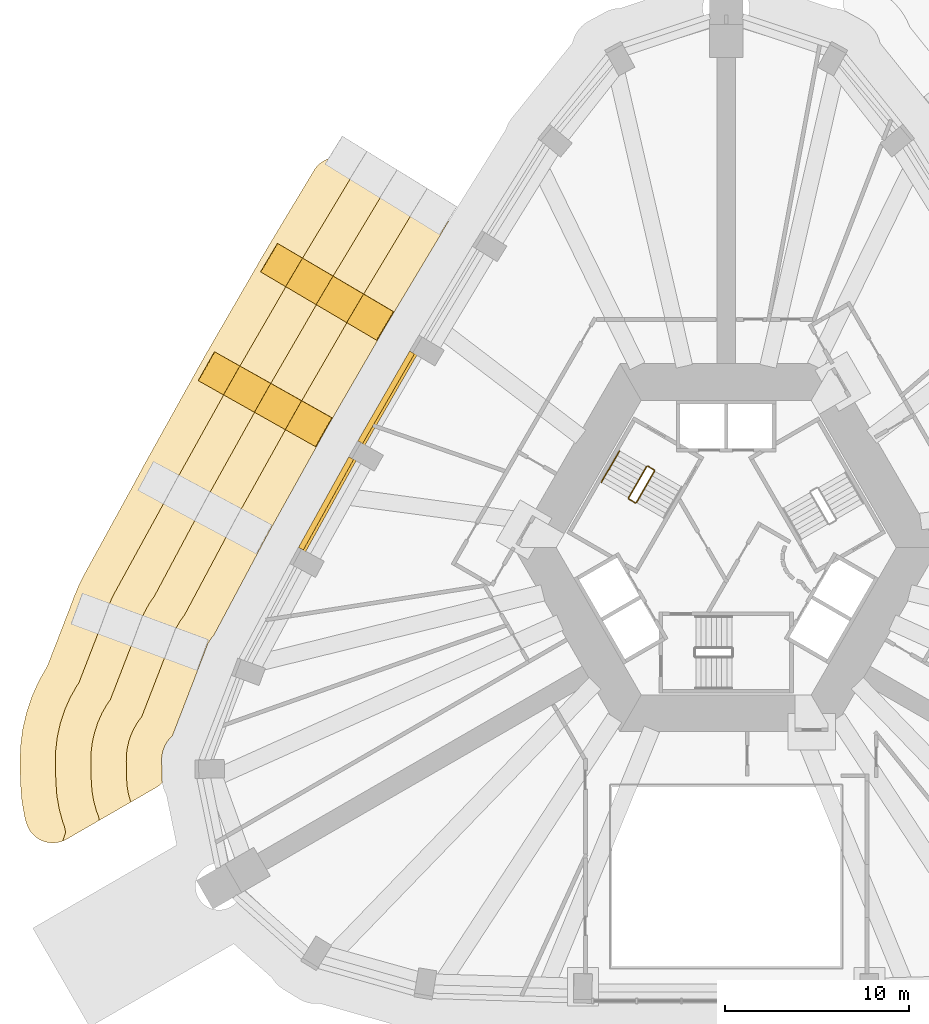
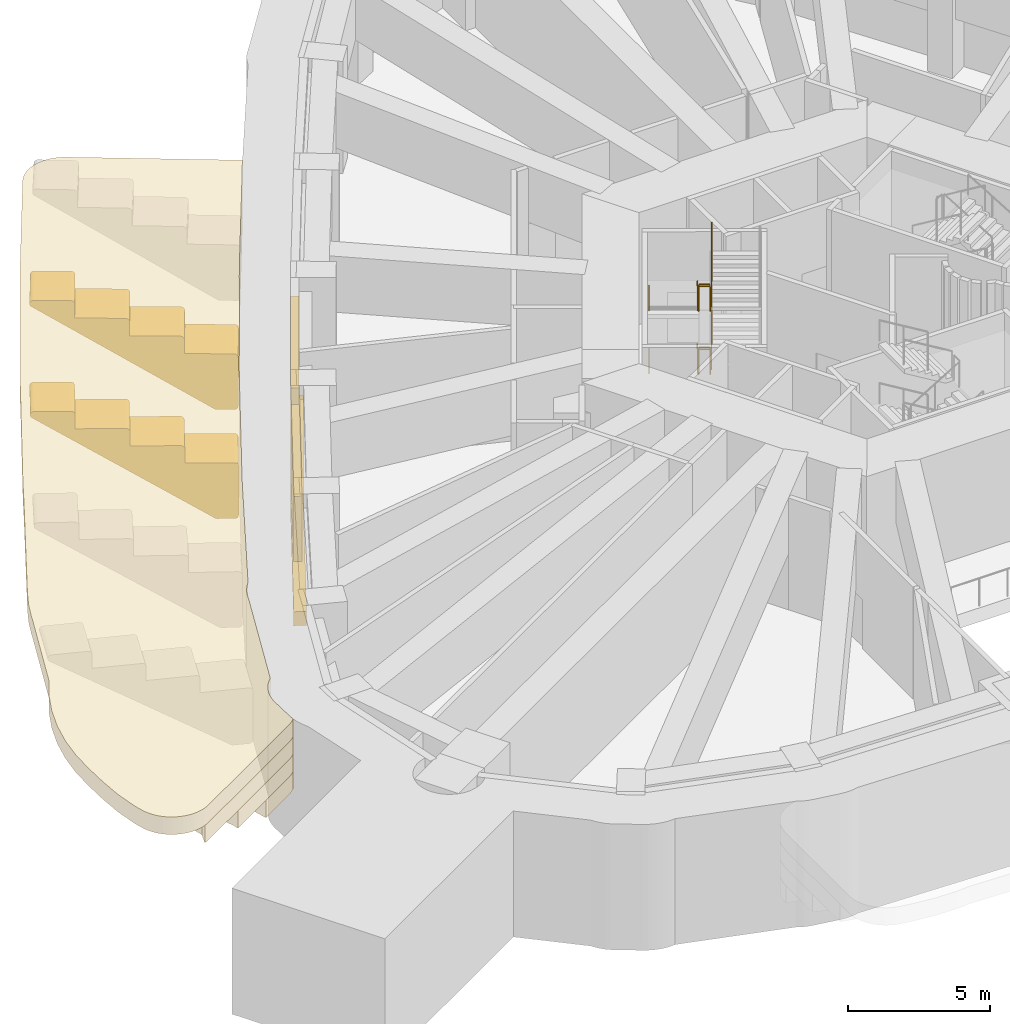
# One storey, part 13 of 16: 10 railings, 8 coverings, 2 shading devices.
"""IFC4 building model written with IfcOpenShell, lengths in metres."""

from ifc_helpers import new_model, si_unit, direction, frame, origin, origin_2d, place, context, subcontext, project, spatial, polyline, rectangle, circle, outline, extrude, material, layer, layer_set, type_object, element, save


model = new_model("IFC4")

# Units and contexts
model_context = context("Model", 3, precision=1e-05, world=origin(), true_north=direction((0.0, 1.0)))
body_context = subcontext(model_context, "Body", "Model", "MODEL_VIEW")
ifc_project = project(units=[si_unit("LENGTHUNIT", "METRE"), si_unit("AREAUNIT", "SQUARE_METRE"), si_unit("VOLUMEUNIT", "CUBIC_METRE"), si_unit("PLANEANGLEUNIT", "RADIAN"), si_unit("MASSUNIT", "GRAM", prefix="KILO")], contexts=[model_context])

# Site, building, storey
site_placement = place(None, origin())
site = spatial("IfcSite", under=ifc_project, at=site_placement, CompositionType="ELEMENT")
building_placement = place(site_placement, origin())
building = spatial("IfcBuilding", under=site, at=building_placement, Name="Entoto Arch Interchange Tower", CompositionType="ELEMENT")
storey_placement = place(building_placement, frame((0.0, 0.0, 281.0)))
storey = spatial("IfcBuildingStorey", under=building, at=storey_placement, Name="L65", CompositionType="ELEMENT", Elevation=281.0)

# Shading devices
ifc_material_1 = material(Name="Aluminium, anodised", Category="aluminium")
ifc_layer = layer(ifc_material_1, 0.300048828125)
ifc_layer_set = layer_set([ifc_layer], Name="Aluminium, anodised")
shading_device_type = type_object("IfcShadingDeviceType", Name="PLANT LOUVRE ALUMINIUM", PredefinedType="JALOUSIE", material=ifc_layer_set)
shading_device_1_placement = place(storey_placement, frame((-18.47705078125, 10.66796875, 1.2001953125), z_axis=(0.0, 0.0, 1.0), x_axis=(-0.499984884929, -0.866034130299, 0.0)))
element("IfcShadingDevice", 1, at=shading_device_1_placement, inside=storey, type_object=shading_device_type, Name="Plant louvre NW-03 L65", PredefinedType="JALOUSIE", context=body_context, shape_type="SweptSolid", body=[
    extrude(rectangle(XDim=5.6298828125, YDim=0.300048828125, at=origin_2d()), origin(), (0.0, 0.0, 1.0), 2.800048828125),
])
shading_device_2_placement = place(storey_placement, frame((-21.743896484375, 4.902099609375, 1.2001953125), z_axis=(0.0, 0.0, 1.0), x_axis=(-0.485664228187, -0.874145444111, 0.0)))
element("IfcShadingDevice", 2, at=shading_device_2_placement, inside=storey, type_object=shading_device_type, Name="Plant louvre NW-04 L65", PredefinedType="JALOUSIE", context=body_context, shape_type="SweptSolid", body=[
    extrude(rectangle(XDim=5.62890625, YDim=0.300048828125, at=origin_2d()), origin(), (0.0, 0.0, 1.0), 2.800048828125),
])

# Coverings
ifc_material_2 = material(Name="Board-marked precast concrete C50/60", Category="concrete")
covering_type_1 = type_object("IfcCoveringType", Name="PRECAST FRAME COURSE", PredefinedType="CLADDING", material=ifc_material_2)
covering_1_placement = place(storey_placement, frame((0.0, 0.0, 4.050048828125)))
element("IfcCovering", 3, at=covering_1_placement, inside=storey, type_object=covering_type_1, Name="Cantilever cornice nw-L65 1", PredefinedType="CLADDING", context=body_context, shape_type="SweptSolid", body=[
    extrude(outline(polyline([(-30.743896484375, -10.3701171875), (-30.85693359375, -10.458984375), (-30.97802734375, -10.535888671875), (-35.839111328125, -13.343017578125), (-35.967041015625, -13.408935546875), (-36.10009765625, -13.4619140625), (-36.238037109375, -13.501953125), (-36.3798828125, -13.529052734375), (-36.52294921875, -13.5419921875), (-36.6669921875, -13.5419921875), (-36.81005859375, -13.527099609375), (-36.951904296875, -13.4990234375), (-37.089111328125, -13.4580078125), (-37.222900390625, -13.403076171875), (-37.35009765625, -13.3359375), (-37.469970703125, -13.257080078125), (-37.5830078125, -13.1669921875), (-37.68603515625, -13.06689453125), (-37.779052734375, -12.95703125), (-37.861083984375, -12.837890625), (-37.930908203125, -12.712890625), (-37.989013671875, -12.5810546875), (-38.033935546875, -12.444091796875), (-38.10107421875, -12.200927734375), (-38.134033203125, -12.056884765625), (-38.26806640625, -11.283935546875), (-38.285888671875, -11.137939453125), (-38.2958984375, -11.010009765625), (-38.346923828125, -10.318115234375), (-38.35107421875, -10.2451171875), (-38.360107421875, -9.863037109375), (-38.3740234375, -9.319091796875), (-38.3740234375, -9.2451171875), (-38.362060546875, -8.76708984375), (-38.35400390625, -8.424072265625), (-38.343017578125, -8.277099609375), (-38.2470703125, -7.498046875), (-38.221923828125, -7.35302734375), (-38.050048828125, -6.5869140625), (-38.010986328125, -6.445068359375), (-37.764892578125, -5.699951171875), (-37.7119140625, -5.56201171875), (-37.488037109375, -5.056884765625), (-37.39404296875, -4.844970703125), (-37.327880859375, -4.712890625), (-36.905029296875, -3.966064453125), (-36.904052734375, -3.967041015625), (-36.904052734375, -3.967041015625), (-36.89990234375, -3.958984375), (-36.89208984375, -3.947021484375), (-36.875, -3.904052734375), (-35.72509765625, -0.93701171875), (-35.60009765625, -0.614013671875), (-35.597900390625, -0.60888671875), (-35.595947265625, -0.60302734375), (-35.458984375, -0.235107421875), (-35.43896484375, -0.18310546875), (-35.34912109375, 0.033935546875), (-35.2041015625, 0.387939453125), (-35.157958984375, 0.488037109375), (-34.881103515625, 1.0400390625), (-34.85498046875, 1.089111328125), (-32.468017578125, 5.44091796875), (-32.10888671875, 6.095947265625), (-32.097900390625, 6.114990234375), (-32.090087890625, 6.133056640625), (-32.076904296875, 6.157958984375), (-31.99609375, 6.30810546875), (-31.615966796875, 7.013916015625), (-31.611083984375, 7.02392578125), (-31.550048828125, 7.135009765625), (-31.5439453125, 7.14404296875), (-31.24609375, 7.679931640625), (-28.824951171875, 12.02587890625), (-28.81689453125, 12.0400390625), (-28.81005859375, 12.054931640625), (-28.801025390625, 12.072021484375), (-28.76708984375, 12.136962890625), (-28.294921875, 12.971923828125), (-28.291015625, 12.97900390625), (-28.279052734375, 13.0), (-28.243896484375, 13.06103515625), (-28.239990234375, 13.068115234375), (-27.4970703125, 14.35400390625), (-25.445068359375, 17.90087890625), (-25.43701171875, 17.9140625), (-25.429931640625, 17.927001953125), (-25.40087890625, 17.98193359375), (-25.364990234375, 18.047119140625), (-24.876953125, 18.8740234375), (-24.8740234375, 18.8779296875), (-24.842041015625, 18.931884765625), (-24.839111328125, 18.93701171875), (-23.803955078125, 20.659912109375), (-22.404052734375, 22.991943359375), (-22.322021484375, 23.114990234375), (-22.22705078125, 23.22998046875), (-22.1220703125, 23.333984375), (-22.007080078125, 23.427978515625), (-21.884033203125, 23.510009765625), (-21.751953125, 23.5791015625), (-21.614990234375, 23.635009765625), (-21.472900390625, 23.677001953125), (-21.326904296875, 23.705078125), (-21.178955078125, 23.718994140625), (-21.031005859375, 23.717041015625), (-20.883056640625, 23.700927734375), (-20.738037109375, 23.6708984375), (-20.595947265625, 23.6259765625), (-20.4599609375, 23.56689453125), (-20.330078125, 23.49609375), (-15.10302734375, 20.26611328125), (-15.071044921875, 20.2470703125), (-15.333984375, 19.822021484375), (-15.4189453125, 19.6669921875), (-15.419921875, 19.6669921875), (-18.239013671875, 14.970947265625), (-18.24609375, 14.9599609375), (-18.75390625, 14.09912109375), (-18.81103515625, 13.989990234375), (-21.576904296875, 9.208984375), (-21.5869140625, 9.19189453125), (-22.077880859375, 8.321044921875), (-22.112060546875, 8.25390625), (-24.820068359375, 3.39208984375), (-24.8330078125, 3.368896484375), (-25.306884765625, 2.489013671875), (-25.323974609375, 2.452880859375), (-27.840087890625, -2.260986328125), (-27.860107421875, -2.281005859375), (-27.97412109375, -2.4169921875), (-28.073974609375, -2.56201171875), (-28.158935546875, -2.717041015625), (-28.22802734375, -2.8798828125), (-28.39697265625, -3.3369140625), (-30.087890625, -7.716064453125), (-30.180908203125, -7.804931640625), (-30.297119140625, -7.93896484375), (-30.39794921875, -8.083984375), (-30.485107421875, -8.237060546875), (-30.556884765625, -8.39892578125), (-30.612060546875, -8.56689453125), (-30.65087890625, -8.739013671875), (-30.673095703125, -8.9140625), (-30.677001953125, -9.091064453125), (-30.652099609375, -10.091064453125), (-30.638916015625, -10.26708984375), (-30.633056640625, -10.302978515625), (-30.639892578125, -10.27001953125), (-30.64111328125, -10.27099609375), (-30.743896484375, -10.3701171875)])), origin(), (0.0, 0.0, 1.0), 0.75),
])
covering_2_placement = place(storey_placement, frame((0.0, 0.0, 3.300048828125)))
element("IfcCovering", 4, at=covering_2_placement, inside=storey, type_object=covering_type_1, Name="Cantilever cornice nw-L65 2", PredefinedType="CLADDING", context=body_context, shape_type="SweptSolid", body=[
    extrude(outline(polyline([(-30.743896484375, -10.3701171875), (-30.85693359375, -10.458984375), (-30.97802734375, -10.535888671875), (-35.839111328125, -13.343017578125), (-35.967041015625, -13.408935546875), (-36.048095703125, -13.44091796875), (-35.89599609375, -12.968017578125), (-35.966064453125, -12.62890625), (-36.044921875, -12.424072265625), (-36.242919921875, -11.7080078125), (-36.3701171875, -10.97509765625), (-36.425048828125, -10.23388671875), (-36.449951171875, -9.23388671875), (-36.431884765625, -8.490966796875), (-36.341064453125, -7.7529296875), (-36.178955078125, -7.028076171875), (-35.946044921875, -6.322021484375), (-35.64501953125, -5.64208984375), (-35.278076171875, -4.9951171875), (-35.177978515625, -4.85302734375), (-33.797119140625, -1.2900390625), (-33.64404296875, -0.876953125), (-33.430908203125, -0.360107421875), (-33.180908203125, 0.138916015625), (-30.404052734375, 5.200927734375), (-30.39208984375, 5.22607421875), (-29.91796875, 6.10693359375), (-29.864990234375, 6.202880859375), (-27.14111328125, 11.093994140625), (-27.10791015625, 11.158935546875), (-26.616943359375, 12.030029296875), (-26.575927734375, 12.10107421875), (-23.781005859375, 16.93310546875), (-23.72607421875, 17.035888671875), (-23.218017578125, 17.89697265625), (-23.18994140625, 17.944091796875), (-20.326904296875, 22.7119140625), (-20.2470703125, 22.85693359375), (-19.98388671875, 23.281982421875), (-15.10302734375, 20.26611328125), (-15.071044921875, 20.2470703125), (-15.333984375, 19.822021484375), (-15.4189453125, 19.6669921875), (-15.419921875, 19.6669921875), (-18.239013671875, 14.970947265625), (-18.24609375, 14.9599609375), (-18.75390625, 14.09912109375), (-18.81103515625, 13.989990234375), (-21.576904296875, 9.208984375), (-21.5869140625, 9.19189453125), (-22.077880859375, 8.321044921875), (-22.112060546875, 8.25390625), (-24.820068359375, 3.39208984375), (-24.8330078125, 3.368896484375), (-25.306884765625, 2.489013671875), (-25.323974609375, 2.452880859375), (-27.840087890625, -2.260986328125), (-27.860107421875, -2.281005859375), (-27.97412109375, -2.4169921875), (-28.073974609375, -2.56201171875), (-28.158935546875, -2.717041015625), (-28.22802734375, -2.8798828125), (-28.39697265625, -3.3369140625), (-30.087890625, -7.716064453125), (-30.180908203125, -7.804931640625), (-30.297119140625, -7.93896484375), (-30.39794921875, -8.083984375), (-30.485107421875, -8.237060546875), (-30.556884765625, -8.39892578125), (-30.612060546875, -8.56689453125), (-30.65087890625, -8.739013671875), (-30.673095703125, -8.9140625), (-30.677001953125, -9.091064453125), (-30.652099609375, -10.091064453125), (-30.638916015625, -10.26708984375), (-30.633056640625, -10.302978515625), (-30.639892578125, -10.27001953125), (-30.64111328125, -10.27099609375), (-30.743896484375, -10.3701171875)])), origin(), (0.0, 0.0, 1.0), 0.75),
])
covering_3_placement = place(storey_placement, frame((0.0, 0.0, 2.550048828125)))
element("IfcCovering", 5, at=covering_3_placement, inside=storey, type_object=covering_type_1, Name="Cantilever cornice nw-L65 3", PredefinedType="CLADDING", context=body_context, shape_type="SweptSolid", body=[
    extrude(outline(polyline([(-30.743896484375, -10.3701171875), (-30.85693359375, -10.458984375), (-30.97802734375, -10.535888671875), (-34.06396484375, -12.318115234375), (-34.10888671875, -12.09912109375), (-34.217041015625, -11.820068359375), (-34.364990234375, -11.284912109375), (-34.4599609375, -10.739013671875), (-34.5009765625, -10.18603515625), (-34.52587890625, -9.18603515625), (-34.511962890625, -8.632080078125), (-34.445068359375, -8.08203125), (-34.322998046875, -7.541015625), (-34.14892578125, -7.013916015625), (-33.925048828125, -6.507080078125), (-33.652099609375, -6.02490234375), (-33.465087890625, -5.760009765625), (-31.9970703125, -1.971923828125), (-31.839111328125, -1.5439453125), (-31.62109375, -1.033935546875), (-31.35498046875, -0.548095703125), (-31.05810546875, -0.114013671875), (-28.714111328125, 4.279052734375), (-28.697021484375, 4.31396484375), (-28.222900390625, 5.194091796875), (-28.18408203125, 5.26611328125), (-25.464111328125, 10.14697265625), (-25.431884765625, 10.212890625), (-24.93994140625, 11.083984375), (-24.909912109375, 11.136962890625), (-22.1240234375, 15.951904296875), (-22.069091796875, 16.056884765625), (-21.56005859375, 16.91796875), (-21.5400390625, 16.952880859375), (-18.69091796875, 21.697021484375), (-18.60888671875, 21.844970703125), (-18.346923828125, 22.27099609375), (-15.10302734375, 20.26611328125), (-15.071044921875, 20.2470703125), (-15.333984375, 19.822021484375), (-15.4189453125, 19.6669921875), (-15.419921875, 19.6669921875), (-18.239013671875, 14.970947265625), (-18.24609375, 14.9599609375), (-18.75390625, 14.09912109375), (-18.81103515625, 13.989990234375), (-21.576904296875, 9.208984375), (-21.5869140625, 9.19189453125), (-22.077880859375, 8.321044921875), (-22.112060546875, 8.25390625), (-24.820068359375, 3.39208984375), (-24.8330078125, 3.368896484375), (-25.306884765625, 2.489013671875), (-25.323974609375, 2.452880859375), (-27.840087890625, -2.260986328125), (-27.860107421875, -2.281005859375), (-27.97412109375, -2.4169921875), (-28.073974609375, -2.56201171875), (-28.158935546875, -2.717041015625), (-28.22802734375, -2.8798828125), (-28.39697265625, -3.3369140625), (-30.087890625, -7.716064453125), (-30.180908203125, -7.804931640625), (-30.297119140625, -7.93896484375), (-30.39794921875, -8.083984375), (-30.485107421875, -8.237060546875), (-30.556884765625, -8.39892578125), (-30.612060546875, -8.56689453125), (-30.65087890625, -8.739013671875), (-30.673095703125, -8.9140625), (-30.677001953125, -9.091064453125), (-30.652099609375, -10.091064453125), (-30.638916015625, -10.26708984375), (-30.633056640625, -10.302978515625), (-30.639892578125, -10.27001953125), (-30.64111328125, -10.27099609375), (-30.743896484375, -10.3701171875)])), origin(), (0.0, 0.0, 1.0), 0.75),
])
covering_4_placement = place(storey_placement, frame((0.0, 0.0, 1.800048828125)))
element("IfcCovering", 6, at=covering_4_placement, inside=storey, type_object=covering_type_1, Name="Cantilever cornice nw-L65 4", PredefinedType="CLADDING", context=body_context, shape_type="SweptSolid", body=[
    extrude(outline(polyline([(-30.743896484375, -10.3701171875), (-30.85693359375, -10.458984375), (-30.97802734375, -10.535888671875), (-32.345947265625, -11.326904296875), (-32.388916015625, -11.215087890625), (-32.487060546875, -10.863037109375), (-32.549072265625, -10.5029296875), (-32.575927734375, -10.137939453125), (-32.60107421875, -9.138916015625), (-32.592041015625, -8.77294921875), (-32.548095703125, -8.409912109375), (-32.468017578125, -8.053955078125), (-32.35302734375, -7.70703125), (-32.205078125, -7.3720703125), (-32.02490234375, -7.053955078125), (-31.81494140625, -6.7548828125), (-31.762939453125, -6.696044921875), (-30.197021484375, -2.654052734375), (-30.032958984375, -2.2119140625), (-29.889892578125, -1.8759765625), (-29.714111328125, -1.554931640625), (-29.508056640625, -1.2529296875), (-29.44189453125, -1.175048828125), (-27.01904296875, 3.365966796875), (-27.001953125, 3.40087890625), (-26.528076171875, 4.281982421875), (-26.501953125, 4.3291015625), (-23.7880859375, 9.200927734375), (-23.7548828125, 9.26708984375), (-23.263916015625, 10.137939453125), (-23.243896484375, 10.173095703125), (-20.468017578125, 14.970947265625), (-20.412109375, 15.077880859375), (-19.903076171875, 15.93896484375), (-19.888916015625, 15.9619140625), (-17.055908203125, 20.680908203125), (-16.971923828125, 20.8330078125), (-16.708984375, 21.259033203125), (-15.10302734375, 20.26611328125), (-15.071044921875, 20.2470703125), (-15.333984375, 19.822021484375), (-15.4189453125, 19.6669921875), (-15.419921875, 19.6669921875), (-18.239013671875, 14.970947265625), (-18.24609375, 14.9599609375), (-18.75390625, 14.09912109375), (-18.81103515625, 13.989990234375), (-21.576904296875, 9.208984375), (-21.5869140625, 9.19189453125), (-22.077880859375, 8.321044921875), (-22.112060546875, 8.25390625), (-24.820068359375, 3.39208984375), (-24.8330078125, 3.368896484375), (-25.306884765625, 2.489013671875), (-25.323974609375, 2.452880859375), (-27.840087890625, -2.260986328125), (-27.860107421875, -2.281005859375), (-27.97412109375, -2.4169921875), (-28.073974609375, -2.56201171875), (-28.158935546875, -2.717041015625), (-28.22802734375, -2.8798828125), (-28.39697265625, -3.3369140625), (-30.087890625, -7.716064453125), (-30.180908203125, -7.804931640625), (-30.297119140625, -7.93896484375), (-30.39794921875, -8.083984375), (-30.485107421875, -8.237060546875), (-30.556884765625, -8.39892578125), (-30.612060546875, -8.56689453125), (-30.65087890625, -8.739013671875), (-30.673095703125, -8.9140625), (-30.677001953125, -9.091064453125), (-30.652099609375, -10.091064453125), (-30.638916015625, -10.26708984375), (-30.633056640625, -10.302978515625), (-30.639892578125, -10.27001953125), (-30.64111328125, -10.27099609375), (-30.743896484375, -10.3701171875)])), origin(), (0.0, 0.0, 1.0), 0.75),
])
covering_5_placement = place(storey_placement, frame((-18.7890625, 15.74609375, -0.573974609375), z_axis=(0.508624209503, 0.860983337061, 0.003017749155), x_axis=(0.778445676114, -0.458362070337, -0.428866578105)))
element("IfcCovering", 7, at=covering_5_placement, inside=storey, type_object=covering_type_1, Name="Fold rib NW03 L65", PredefinedType="CLADDING", context=body_context, shape_type="SweptSolid", body=[
    extrude(outline(polyline([(0.0, 0.0), (0.0443977357903218, 0.0), (0.08707526483412215, -0.01242312964052563), (0.6458932617529368, -0.2788002343403278), (0.6793516524784164, -0.3057638777585177), (0.7042377684752563, -0.34325423947512373), (0.716314076387856, -0.3854723613196952), (0.7162452674838485, -0.4286791132809732), (0.7037502736589488, -0.47139437980501975), (-0.19673731982697684, -2.368376605004182), (-0.22159276213845358, -2.4054943208292), (-0.2436998539525812, -2.4247266126357654), (-0.2687812965229296, -2.4395754759044075), (-0.3104946910975732, -2.452745037320983), (-0.35489242688789513, -2.452745037320983), (-0.39703923611168646, -2.4394935458326836), (-1.972890203655342, -1.6913670654981021), (-2.237789888953222, -2.2463872141557486), (-2.255505402437395, -2.2701363948840814), (-2.288837091193429, -2.2972843142413986), (-2.330048317409481, -2.314475338934741), (-2.3735156229268437, -2.319243021369539), (-2.4026120109403504, -2.314346320897484), (-2.430951876410627, -2.304135619887565), (-4.033852504980756, -1.5431697141242866), (-4.297913844011489, -2.098585086830041), (-4.315629357495661, -2.122334267558373), (-4.349609342304948, -2.1491767733548435), (-4.390172272467748, -2.166673211609033), (-4.434589829054586, -2.1709918416075276), (-4.463496166854197, -2.166184951622733), (-4.491075831468894, -2.156333492561857), (-6.0939764600390225, -1.3953675867985784), (-6.3587979999253355, -1.9504237175552896), (-6.376591658821075, -1.9741369161845572), (-6.409733297363214, -2.001374646029136), (-6.45124647859549, -2.018422031847021), (-6.495161403322165, -2.0229744007290336), (-6.524380322768044, -2.018023582347982), (-6.551848082580413, -2.008225951675302), (-7.713518768032175, -1.4567291399691067), (-7.738137923331475, -1.441799853045198), (-7.769845154423444, -1.409989397335381), (-7.790291783333965, -1.3716351938107558), (-7.797257483271055, -1.3437360339072182), (-7.798716585050896, -1.3143962555205384), (-7.7944252055420975, -1.2853522143419127), (-7.784693680542148, -1.2578140154218937), (-7.769191600726831, -1.2322002526247289), (-7.749848735928299, -1.2103030416823035), (-7.726087734456957, -1.1926661900035884), (-7.700170654969812, -1.18064624172949), (-7.671696510127132, -1.1730863411560493), (0.0, 0.0)])), origin(), (0.0, 0.0, -1.0), 1.800048828125),
])
covering_6_placement = place(storey_placement, frame((-22.14599609375, 9.967041015625, -0.573974609375), z_axis=(0.49138303752, 0.870938217134, 0.003054893308), x_axis=(0.787902881001, -0.443034324474, -0.427702744261)))
element("IfcCovering", 8, at=covering_6_placement, inside=storey, type_object=covering_type_1, Name="Fold rib NW04 L65", PredefinedType="CLADDING", context=body_context, shape_type="SweptSolid", body=[
    extrude(outline(polyline([(0.0, 0.0), (0.04452142105526126, 0.0), (0.08729225069939639, -0.012406572916459892), (0.6458333510278643, -0.27776694185421724), (0.6799003613846084, -0.3049606149248511), (0.70438566547136, -0.34220614363680996), (0.7168080908583927, -0.38454899417519883), (0.7172675868028293, -0.4279787317126984), (0.703917711986483, -0.470279061738694), (-0.19390780416865927, -2.368524838397538), (-0.21891468420525884, -2.405580229039941), (-0.24022219557673563, -2.4252051626991706), (-0.2657548483614147, -2.439864605936288), (-0.30775407480922023, -2.452942138299673), (-0.3518428451569878, -2.453149728956772), (-0.3937633456324372, -2.4400680179058694), (-1.9707053236084788, -1.6939079777744064), (-2.234844556651197, -2.2492891240401613), (-2.25198297432279, -2.2733228721114753), (-2.286485500033475, -2.2999406547699612), (-2.3264724686801017, -2.3177527807880858), (-2.370885439159989, -2.32212557486836), (-2.3997926994002983, -2.3173631274970927), (-2.4272642864574623, -2.3076030703203045), (-4.0318315599927335, -1.5483749661569575), (-4.295970793035452, -2.1037561124227127), (-4.313109210707045, -2.127789860494026), (-4.346842300010502, -2.1547700935850873), (-4.387791064166164, -2.172129156562493), (-4.431579024836751, -2.17680015390801), (-4.46081077310768, -2.1718820135439185), (-4.488390522841717, -2.162070058702855), (-6.092849633700115, -1.4028938522037833), (-6.356219430335605, -1.9586374489021128), (-6.374319643516233, -1.982218133932708), (-6.4074277230103895, -2.009496570289012), (-6.448917300550418, -2.026596144945044), (-6.492597098544132, -2.0313190399548358), (-6.521167573084706, -2.0267114523590437), (-6.549600955650905, -2.0164983321415373), (-7.711552675357176, -1.4667028364362382), (-7.736518191647188, -1.451646406510195), (-7.767382662069758, -1.4202978357654943), (-7.788315176158787, -1.3817648850561421), (-7.795751002535928, -1.3536651812839482), (-7.797329033357141, -1.324289103301199), (-7.792545597955308, -1.2954912372236613), (-7.783052982765826, -1.26784450111231), (-7.768149907075709, -1.2419443771006602), (-7.748147394551765, -1.2203477880970852), (-7.724327985672071, -1.2027185579302038), (-7.698424859633479, -1.190667193228006), (-7.669639362832758, -1.1832196105530755), (0.0, 0.0)])), origin(), (0.0, 0.0, -1.0), 1.800048828125),
])
covering_type_2 = type_object("IfcCoveringType", Name="PRECAST LEDGE COURSE", PredefinedType="CLADDING", material=ifc_material_2)
covering_7_placement = place(storey_placement, frame((0.0, 0.0, -1.199951171875)))
element("IfcCovering", 9, at=covering_7_placement, inside=storey, type_object=covering_type_2, Name="Precast course NW-03 L65", PredefinedType="CLADDING", context=body_context, shape_type="SweptSolid", body=[
    extrude(outline(polyline([(-19.873046875, 7.64990234375), (-20.264892578125, 7.8720703125), (-16.949951171875, 13.614013671875), (-16.56201171875, 13.385009765625), (-19.873046875, 7.64990234375)])), origin(), (0.0, 0.0, 1.0), 0.599853515625),
])
covering_8_placement = place(storey_placement, frame((0.0, 0.0, -1.199951171875)))
element("IfcCovering", 10, at=covering_8_placement, inside=storey, type_object=covering_type_2, Name="Precast course NW-04 L65", PredefinedType="CLADDING", context=body_context, shape_type="SweptSolid", body=[
    extrude(outline(polyline([(-23.083984375, 1.860107421875), (-23.485107421875, 2.075927734375), (-20.264892578125, 7.8720703125), (-19.873046875, 7.64990234375), (-23.083984375, 1.860107421875)])), origin(), (0.0, 0.0, 1.0), 0.599853515625),
])

# Railings
ifc_material_3 = material(Name="Stainless steel 1.4301", Category="steel")
railing_type_1 = type_object("IfcRailingType", Name="STAIR GUARD 1100 STEEL", PredefinedType="GUARDRAIL", material=ifc_material_3)
railing_1_placement = place(storey_placement, frame((-4.327880859375, 6.904052734375, 0.168701171875)))
element("IfcRailing", 11, at=railing_1_placement, inside=storey, type_object=railing_type_1, Name="L65 ST-NW stair guard 1", PredefinedType="GUARDRAIL", context=body_context, shape_type="SweptSolid", body=[
    extrude(circle(Radius=0.02392578125, at=origin_2d()), frame((0.0, 0.0, 1.076171875), z_axis=(-0.428204578836, -0.741730552229, 0.516213741153), x_axis=(0.866042469362, -0.499970440388, 0.0)), (0.0, 0.0, 1.0), 2.28857421875),
    extrude(circle(Radius=0.02099609375, at=origin_2d()), origin(), (0.0, 0.0, 1.0), 1.052001953125),
    extrude(circle(Radius=0.02099609375, at=origin_2d()), frame((-0.489990234375, -0.8486328125, 0.5908203125)), (0.0, 0.0, 1.0), 1.052001953125),
    extrude(circle(Radius=0.02099609375, at=origin_2d()), frame((-0.97998046875, -1.697509765625, 1.181396484375)), (0.0, 0.0, 1.0), 1.052001953125),
])
railing_2_placement = place(storey_placement, frame((-5.28955078125, 5.13818359375, 1.35009765625)))
element("IfcRailing", 12, at=railing_2_placement, inside=storey, type_object=railing_type_1, Name="L65 ST-NW stair guard 2", PredefinedType="GUARDRAIL", context=body_context, shape_type="SweptSolid", body=[
    extrude(circle(Radius=0.02392578125, at=origin_2d()), frame((0.0, 0.0, 1.076171875), z_axis=(0.866094119867, -0.499880961361, 0.0), x_axis=(0.499880961361, 0.866094119867, 0.0)), (0.0, 0.0, 1.0), 0.39990234375),
    extrude(circle(Radius=0.02099609375, at=origin_2d()), origin(), (0.0, 0.0, 1.0), 1.052001953125),
    extrude(circle(Radius=0.02099609375, at=origin_2d()), frame((0.346435546875, -0.199951171875, 0.0)), (0.0, 0.0, 1.0), 1.052001953125),
])
railing_3_placement = place(storey_placement, frame((-4.874755859375, 4.95654296875, 1.518798828125)))
element("IfcRailing", 13, at=railing_3_placement, inside=storey, type_object=railing_type_1, Name="L65 ST-NW stair guard 3", PredefinedType="GUARDRAIL", context=body_context, shape_type="SweptSolid", body=[
    extrude(circle(Radius=0.02392578125, at=origin_2d()), frame((0.0, 0.0, 1.076171875), z_axis=(0.428228158944, 0.741771397394, 0.516135484049), x_axis=(-0.866042469362, 0.499970440388, 0.0)), (0.0, 0.0, 1.0), 2.28857421875),
    extrude(circle(Radius=0.02099609375, at=origin_2d()), origin(), (0.0, 0.0, 1.0), 1.052001953125),
    extrude(circle(Radius=0.02099609375, at=origin_2d()), frame((0.489990234375, 0.8486328125, 0.590576171875)), (0.0, 0.0, 1.0), 1.052001953125),
    extrude(circle(Radius=0.02099609375, at=origin_2d()), frame((0.97998046875, 1.697509765625, 1.18115234375)), (0.0, 0.0, 1.0), 1.052001953125),
])
railing_4_placement = place(storey_placement, frame((-4.259521484375, 6.92236328125, 2.699951171875)))
element("IfcRailing", 14, at=railing_4_placement, inside=storey, type_object=railing_type_1, Name="L65 ST-NW stair guard 4", PredefinedType="GUARDRAIL", context=body_context, shape_type="SweptSolid", body=[
    extrude(circle(Radius=0.02392578125, at=origin_2d()), frame((0.0, 0.0, 1.076171875), z_axis=(0.865829829939, -0.500338590944, 0.0), x_axis=(0.500338590944, 0.865829829939, 0.0)), (0.0, 0.0, 1.0), 0.400146484375),
    extrude(circle(Radius=0.02099609375, at=origin_2d()), origin(), (0.0, 0.0, 1.0), 1.052001953125),
    extrude(circle(Radius=0.02099609375, at=origin_2d()), frame((0.346435546875, -0.2001953125, 0.0)), (0.0, 0.0, 1.0), 1.052001953125),
])
railing_5_placement = place(storey_placement, frame((-4.327880859375, 6.904052734375, 2.86865234375)))
element("IfcRailing", 15, at=railing_5_placement, inside=storey, type_object=railing_type_1, Name="L65 ST-NW stair guard 5", PredefinedType="GUARDRAIL", context=body_context, shape_type="SweptSolid", body=[
    extrude(circle(Radius=0.02392578125, at=origin_2d()), frame((0.0, 0.0, 1.076171875), z_axis=(-0.428204578836, -0.741730552229, 0.516213741153), x_axis=(0.866042469362, -0.499970440388, 0.0)), (0.0, 0.0, 1.0), 2.28857421875),
    extrude(circle(Radius=0.02099609375, at=origin_2d()), origin(), (0.0, 0.0, 1.0), 1.052001953125),
    extrude(circle(Radius=0.02099609375, at=origin_2d()), frame((-0.489990234375, -0.8486328125, 0.5908203125)), (0.0, 0.0, 1.0), 1.052001953125),
    extrude(circle(Radius=0.02099609375, at=origin_2d()), frame((-0.97998046875, -1.697509765625, 1.181396484375)), (0.0, 0.0, 1.0), 1.052001953125),
])
railing_6_placement = place(storey_placement, frame((-5.28955078125, 5.13818359375, 4.050048828125)))
element("IfcRailing", 16, at=railing_6_placement, inside=storey, type_object=railing_type_1, Name="L65 ST-NW stair guard 6", PredefinedType="GUARDRAIL", context=body_context, shape_type="SweptSolid", body=[
    extrude(circle(Radius=0.02392578125, at=origin_2d()), frame((0.0, 0.0, 1.076171875), z_axis=(0.866094119867, -0.499880961361, 0.0), x_axis=(0.499880961361, 0.866094119867, 0.0)), (0.0, 0.0, 1.0), 0.39990234375),
    extrude(circle(Radius=0.02099609375, at=origin_2d()), origin(), (0.0, 0.0, 1.0), 1.052001953125),
    extrude(circle(Radius=0.02099609375, at=origin_2d()), frame((0.346435546875, -0.199951171875, 0.0)), (0.0, 0.0, 1.0), 1.052001953125),
])
railing_7_placement = place(storey_placement, frame((-4.874755859375, 4.95654296875, 4.21875)))
element("IfcRailing", 17, at=railing_7_placement, inside=storey, type_object=railing_type_1, Name="L65 ST-NW stair guard 7", PredefinedType="GUARDRAIL", context=body_context, shape_type="SweptSolid", body=[
    extrude(circle(Radius=0.02392578125, at=origin_2d()), frame((0.0, 0.0, 1.076171875), z_axis=(0.428228158944, 0.741771397394, 0.516135484049), x_axis=(-0.866042469362, 0.499970440388, 0.0)), (0.0, 0.0, 1.0), 2.28857421875),
    extrude(circle(Radius=0.02099609375, at=origin_2d()), origin(), (0.0, 0.0, 1.0), 1.052001953125),
    extrude(circle(Radius=0.02099609375, at=origin_2d()), frame((0.489990234375, 0.8486328125, 0.590576171875)), (0.0, 0.0, 1.0), 1.052001953125),
    extrude(circle(Radius=0.02099609375, at=origin_2d()), frame((0.97998046875, 1.697509765625, 1.18115234375)), (0.0, 0.0, 1.0), 1.052001953125),
])
railing_8_placement = place(storey_placement, frame((-4.259521484375, 6.92236328125, 0.0)))
element("IfcRailing", 18, at=railing_8_placement, inside=storey, type_object=railing_type_1, Name="L65 ST-NW stair guard 8", PredefinedType="GUARDRAIL", context=body_context, shape_type="SweptSolid", body=[
    extrude(circle(Radius=0.02392578125, at=origin_2d()), frame((0.0, 0.0, 1.076171875), z_axis=(0.865829829939, -0.500338590944, 0.0), x_axis=(0.500338590944, 0.865829829939, 0.0)), (0.0, 0.0, 1.0), 0.400146484375),
    extrude(circle(Radius=0.02099609375, at=origin_2d()), origin(), (0.0, 0.0, 1.0), 1.052001953125),
    extrude(circle(Radius=0.02099609375, at=origin_2d()), frame((0.346435546875, -0.2001953125, 0.0)), (0.0, 0.0, 1.0), 1.052001953125),
])
railing_type_2 = type_object("IfcRailingType", Name="STAIR HANDRAIL 900 STEEL", PredefinedType="HANDRAIL", material=ifc_material_3)
for number, where, name in (
    (19, (-5.800048828125, 7.75390625, 0.168701171875), "L65 ST-NW stair handrail 1"),
    (20, (-5.800048828125, 7.75390625, 2.86865234375), "L65 ST-NW stair handrail 3"),
):
    element("IfcRailing", number, at=place(storey_placement, frame(where)), inside=storey, type_object=railing_type_2, Name=name, PredefinedType="HANDRAIL", context=body_context, shape_type="SweptSolid", body=[
        extrude(circle(Radius=0.02392578125, at=origin_2d()), frame((0.0, 0.0, 0.8759765625), z_axis=(-0.428238462606, -0.741682559053, 0.516254589076), x_axis=(0.866011328839, -0.500024377727, 0.0)), (0.0, 0.0, 1.0), 2.288330078125),
        extrude(circle(Radius=0.02099609375, at=origin_2d()), origin(), (0.0, 0.0, 1.0), 0.851806640625),
        extrude(circle(Radius=0.02099609375, at=origin_2d()), frame((-0.489990234375, -0.8486328125, 0.5908203125)), (0.0, 0.0, 1.0), 0.851806640625),
        extrude(circle(Radius=0.02099609375, at=origin_2d()), frame((-0.97998046875, -1.697265625, 1.181396484375)), (0.0, 0.0, 1.0), 0.851806640625),
    ])

save(model, "model.ifc")
